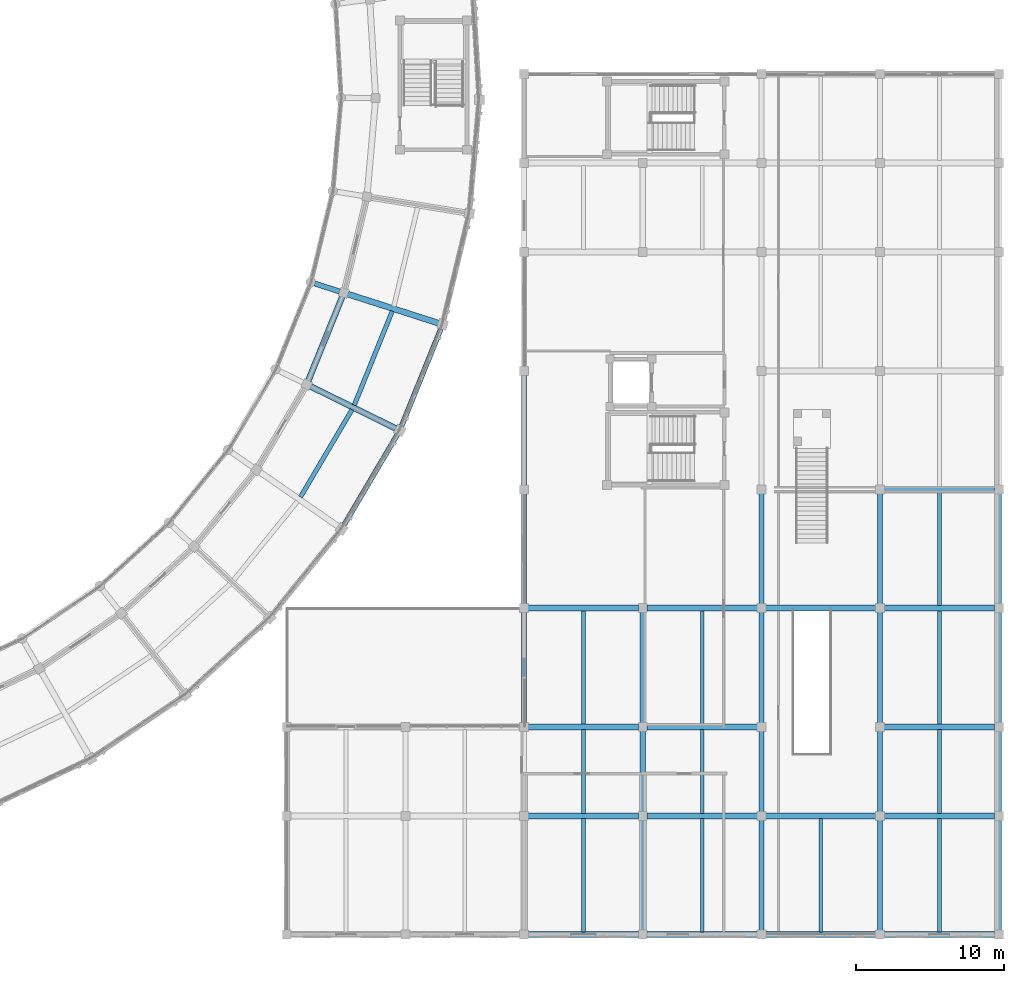
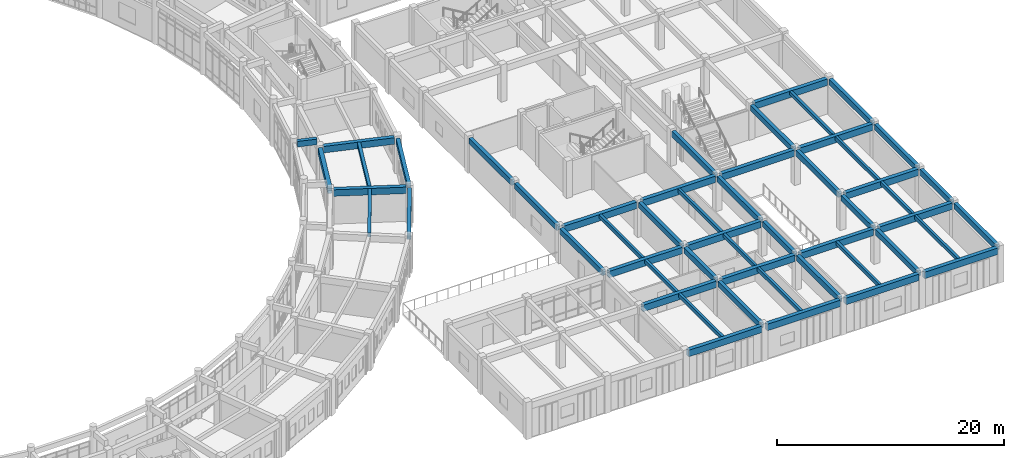
# One storey, part 82 of 159: 53 beams.
"""IFC4 building model written with IfcOpenShell, lengths in metres."""

from ifc_helpers import new_model, si_unit, direction, frame, origin, origin_2d, place, context, subcontext, project, spatial, rectangle, extrude, material, material_profile, profile_set, type_object, element, save


model = new_model("IFC4")

# Units and contexts
model_context = context("Model", 3, precision=1e-05, world=origin(), true_north=direction((0.0, 1.0)))
body_context = subcontext(model_context, "Body", "Model", "MODEL_VIEW")
ifc_project = project(units=[si_unit("LENGTHUNIT", "METRE"), si_unit("AREAUNIT", "SQUARE_METRE"), si_unit("VOLUMEUNIT", "CUBIC_METRE"), si_unit("PLANEANGLEUNIT", "RADIAN"), si_unit("MASSUNIT", "GRAM", prefix="KILO")], contexts=[model_context])

# Site, building, storey
site_placement = place(None, origin())
site = spatial("IfcSite", under=ifc_project, at=site_placement, CompositionType="ELEMENT")
building_placement = place(site_placement, origin())
building = spatial("IfcBuilding", under=site, at=building_placement, Name="Celadon Cloister-Ring School", CompositionType="ELEMENT")
storey_placement = place(building_placement, frame((0.0, 0.0, 4.5)))
storey = spatial("IfcBuildingStorey", under=building, at=storey_placement, Name="L01", CompositionType="ELEMENT", Elevation=4.5)

# Beams
ifc_material_1 = material(Name="Concrete C35/45", Category="concrete")
ifc_material_profile_1 = material_profile(ifc_material_1, rectangle(XDim=0.35009765625, YDim=0.60009765625, at=origin_2d()), Name="RC350X600")
ifc_profile_set_1 = profile_set([ifc_material_profile_1], Name="Concrete C35/45")
beam_type_1 = type_object("IfcBeamType", Name="BT-02", PredefinedType="BEAM", material=ifc_profile_set_1)
beam_1_placement = place(storey_placement, frame((129.587890625, 45.340087890625, 4.35009765625), z_axis=(-0.952385798673, 0.304895540286, 0.0), x_axis=(-0.304895540286, -0.952385798673, 0.0)))
element("IfcBeam", 1, at=beam_1_placement, inside=storey, type_object=beam_type_1, Name="Beam 0249", PredefinedType="BEAM", context=body_context, shape_type="SweptSolid", body=[
    extrude(rectangle(XDim=0.35009765625, YDim=0.60009765625, at=origin_2d()), origin(), (0.0, 0.0, 1.0), 1.7744140625),
])
for number, where, z_axis, x_axis, name in (
    (2, (142.0, 16.27490234375, 3.4599609375), (0.0, 1.0, 0.0), (-1.0, 0.0, 0.0), "Beam 1322"),
    (3, (142.0, 24.27490234375, 3.4599609375), (0.0, 1.0, 0.0), (-1.0, 0.0, 0.0), "Beam 1323"),
    (4, (142.0, 32.27490234375, 3.4599609375), (0.0, 1.0, 0.0), (-1.0, 0.0, 0.0), "Beam 1324"),
    (5, (150.0, 2.27490234375, 3.4599609375), (0.0, 1.0, 0.0), (-1.0, 0.0, 0.0), "Beam 1328"),
):
    element("IfcBeam", number, at=place(storey_placement, frame(where, z_axis=z_axis, x_axis=x_axis)), inside=storey, type_object=beam_type_1, Name=name, PredefinedType="BEAM", context=body_context, shape_type="SweptSolid", body=[
        extrude(rectangle(XDim=0.35009765625, YDim=0.60009765625, at=origin_2d()), origin(), (0.0, 0.0, 1.0), 7.4501953125),
    ])
beam_2_placement = place(storey_placement, frame((150.0, 10.27490234375, 3.4599609375), z_axis=(0.0, 1.0, 0.0), x_axis=(-1.0, 0.0, 0.0)))
element("IfcBeam", 6, at=beam_2_placement, inside=storey, type_object=beam_type_1, Name="Beam 1329", PredefinedType="BEAM", context=body_context, shape_type="SweptSolid", body=[
    extrude(rectangle(XDim=0.35009765625, YDim=0.60009765625, at=origin_2d()), origin(), (0.0, 0.0, 1.0), 5.4501953125),
])
for number, where, z_axis, x_axis, name in (
    (7, (150.0, 16.27490234375, 3.4599609375), (0.0, 1.0, 0.0), (-1.0, 0.0, 0.0), "Beam 1330"),
    (8, (158.0, 2.27490234375, 3.4599609375), (0.0, 1.0, 0.0), (-1.0, 0.0, 0.0), "Beam 1332"),
):
    element("IfcBeam", number, at=place(storey_placement, frame(where, z_axis=z_axis, x_axis=x_axis)), inside=storey, type_object=beam_type_1, Name=name, PredefinedType="BEAM", context=body_context, shape_type="SweptSolid", body=[
        extrude(rectangle(XDim=0.35009765625, YDim=0.60009765625, at=origin_2d()), origin(), (0.0, 0.0, 1.0), 7.4501953125),
    ])
beam_3_placement = place(storey_placement, frame((158.0, 10.27490234375, 3.4599609375), z_axis=(0.0, 1.0, 0.0), x_axis=(-1.0, 0.0, 0.0)))
element("IfcBeam", 9, at=beam_3_placement, inside=storey, type_object=beam_type_1, Name="Beam 1333", PredefinedType="BEAM", context=body_context, shape_type="SweptSolid", body=[
    extrude(rectangle(XDim=0.35009765625, YDim=0.60009765625, at=origin_2d()), origin(), (0.0, 0.0, 1.0), 5.4501953125),
])
for number, where, z_axis, x_axis, name in (
    (10, (158.0, 16.27490234375, 3.4599609375), (0.0, 1.0, 0.0), (-1.0, 0.0, 0.0), "Beam 1334"),
    (11, (158.0, 24.27490234375, 3.4599609375), (0.0, 1.0, 0.0), (-1.0, 0.0, 0.0), "Beam 1335"),
    (12, (166.0, 2.27490234375, 3.4599609375), (0.0, 1.0, 0.0), (-1.0, 0.0, 0.0), "Beam 1340"),
):
    element("IfcBeam", number, at=place(storey_placement, frame(where, z_axis=z_axis, x_axis=x_axis)), inside=storey, type_object=beam_type_1, Name=name, PredefinedType="BEAM", context=body_context, shape_type="SweptSolid", body=[
        extrude(rectangle(XDim=0.35009765625, YDim=0.60009765625, at=origin_2d()), origin(), (0.0, 0.0, 1.0), 7.4501953125),
    ])
beam_4_placement = place(storey_placement, frame((166.0, 10.27490234375, 3.4599609375), z_axis=(0.0, 1.0, 0.0), x_axis=(-1.0, 0.0, 0.0)))
element("IfcBeam", 13, at=beam_4_placement, inside=storey, type_object=beam_type_1, Name="Beam 1341", PredefinedType="BEAM", context=body_context, shape_type="SweptSolid", body=[
    extrude(rectangle(XDim=0.35009765625, YDim=0.60009765625, at=origin_2d()), origin(), (0.0, 0.0, 1.0), 5.4501953125),
])
for number, where, z_axis, x_axis, name in (
    (14, (166.0, 16.27490234375, 3.4599609375), (0.0, 1.0, 0.0), (-1.0, 0.0, 0.0), "Beam 1342"),
    (15, (166.0, 24.27490234375, 3.4599609375), (0.0, 1.0, 0.0), (-1.0, 0.0, 0.0), "Beam 1343"),
    (16, (174.0, 2.27490234375, 3.4599609375), (0.0, 1.0, 0.0), (-1.0, 0.0, 0.0), "Beam 1348"),
):
    element("IfcBeam", number, at=place(storey_placement, frame(where, z_axis=z_axis, x_axis=x_axis)), inside=storey, type_object=beam_type_1, Name=name, PredefinedType="BEAM", context=body_context, shape_type="SweptSolid", body=[
        extrude(rectangle(XDim=0.35009765625, YDim=0.60009765625, at=origin_2d()), origin(), (0.0, 0.0, 1.0), 7.4501953125),
    ])
beam_5_placement = place(storey_placement, frame((174.0, 10.27490234375, 3.4599609375), z_axis=(0.0, 1.0, 0.0), x_axis=(-1.0, 0.0, 0.0)))
element("IfcBeam", 17, at=beam_5_placement, inside=storey, type_object=beam_type_1, Name="Beam 1349", PredefinedType="BEAM", context=body_context, shape_type="SweptSolid", body=[
    extrude(rectangle(XDim=0.35009765625, YDim=0.60009765625, at=origin_2d()), origin(), (0.0, 0.0, 1.0), 5.4501953125),
])
for number, where, z_axis, x_axis, name in (
    (18, (174.0, 16.27490234375, 3.4599609375), (0.0, 1.0, 0.0), (-1.0, 0.0, 0.0), "Beam 1350"),
    (19, (174.0, 24.27490234375, 3.4599609375), (0.0, 1.0, 0.0), (-1.0, 0.0, 0.0), "Beam 1351"),
):
    element("IfcBeam", number, at=place(storey_placement, frame(where, z_axis=z_axis, x_axis=x_axis)), inside=storey, type_object=beam_type_1, Name=name, PredefinedType="BEAM", context=body_context, shape_type="SweptSolid", body=[
        extrude(rectangle(XDim=0.35009765625, YDim=0.60009765625, at=origin_2d()), origin(), (0.0, 0.0, 1.0), 7.4501953125),
    ])
ifc_material_2 = material(Name="Concrete C35/45", Category="concrete")
ifc_material_profile_2 = material_profile(ifc_material_2, rectangle(XDim=0.39990234375, YDim=0.699951171875, at=origin_2d()), Name="RC400X700")
ifc_profile_set_2 = profile_set([ifc_material_profile_2], Name="Concrete C35/45")
beam_type_2 = type_object("IfcBeamType", Name="GT-03", PredefinedType="USERDEFINED", material=ifc_profile_set_2)
for number, where, z_axis, x_axis, name in (
    (20, (133.35595703125, 36.110107421875, 3.429931640625), (-0.896658258814, 0.442723352559, 0.0), (-0.442723352559, -0.896658258814, 0.0), "Beam 0246"),
    (21, (136.22900390625, 43.2099609375, 3.429931640625), (-0.952209894137, 0.305444458957, 0.0), (-0.305444458957, -0.952209894137, 0.0), "Beam 0248"),
):
    element("IfcBeam", number, at=place(storey_placement, frame(where, z_axis=z_axis, x_axis=x_axis)), inside=storey, type_object=beam_type_2, Name=name, ObjectType="GIRDER", PredefinedType="USERDEFINED", context=body_context, shape_type="SweptSolid", body=[
        extrude(rectangle(XDim=0.39990234375, YDim=0.699951171875, at=origin_2d()), origin(), (0.0, 0.0, 1.0), 6.423828125),
    ])
beam_6_placement = place(storey_placement, frame((127.451904296875, 39.3310546875, 3.429931640625), z_axis=(0.375220519631, 0.926935575781, 0.0), x_axis=(-0.926935575781, 0.375220519631, 0.0)))
element("IfcBeam", 22, at=beam_6_placement, inside=storey, type_object=beam_type_2, Name="Beam 0360", ObjectType="GIRDER", PredefinedType="USERDEFINED", context=body_context, shape_type="SweptSolid", body=[
    extrude(rectangle(XDim=0.39990234375, YDim=0.699951171875, at=origin_2d()), origin(), (0.0, 0.0, 1.0), 6.116943359375),
])
for number, where, z_axis, x_axis, name in (
    (23, (142.27490234375, 2.0, 3.409912109375), (1.0, 0.0, 0.0), (0.0, 1.0, 0.0), "Beam 1284"),
    (24, (150.27490234375, 2.0, 3.409912109375), (1.0, 0.0, 0.0), (0.0, 1.0, 0.0), "Beam 1285"),
    (25, (158.27490234375, 2.0, 3.409912109375), (1.0, 0.0, 0.0), (0.0, 1.0, 0.0), "Beam 1286"),
    (26, (166.27490234375, 2.0, 3.409912109375), (1.0, 0.0, 0.0), (0.0, 1.0, 0.0), "Beam 1287"),
    (27, (142.27490234375, 10.0, 3.409912109375), (1.0, 0.0, 0.0), (0.0, 1.0, 0.0), "Beam 1290"),
    (28, (150.27490234375, 10.0, 3.409912109375), (1.0, 0.0, 0.0), (0.0, 1.0, 0.0), "Beam 1291"),
    (29, (158.27490234375, 10.0, 3.409912109375), (1.0, 0.0, 0.0), (0.0, 1.0, 0.0), "Beam 1292"),
    (30, (166.27490234375, 10.0, 3.409912109375), (1.0, 0.0, 0.0), (0.0, 1.0, 0.0), "Beam 1293"),
    (31, (142.27490234375, 16.0, 3.409912109375), (1.0, 0.0, 0.0), (0.0, 1.0, 0.0), "Beam 1296"),
    (32, (150.27490234375, 16.0, 3.409912109375), (1.0, 0.0, 0.0), (0.0, 1.0, 0.0), "Beam 1297"),
    (33, (166.27490234375, 16.0, 3.409912109375), (1.0, 0.0, 0.0), (0.0, 1.0, 0.0), "Beam 1298"),
    (34, (142.27490234375, 24.0, 3.409912109375), (1.0, 0.0, 0.0), (0.0, 1.0, 0.0), "Beam 1299"),
    (35, (150.27490234375, 24.0, 3.409912109375), (1.0, 0.0, 0.0), (0.0, 1.0, 0.0), "Beam 1300"),
    (36, (158.27490234375, 24.0, 3.409912109375), (1.0, 0.0, 0.0), (0.0, 1.0, 0.0), "Beam 1301"),
    (37, (166.27490234375, 24.0, 3.409912109375), (1.0, 0.0, 0.0), (0.0, 1.0, 0.0), "Beam 1302"),
    (38, (166.27490234375, 32.0, 3.409912109375), (1.0, 0.0, 0.0), (0.0, 1.0, 0.0), "Beam 1303"),
):
    element("IfcBeam", number, at=place(storey_placement, frame(where, z_axis=z_axis, x_axis=x_axis)), inside=storey, type_object=beam_type_2, Name=name, ObjectType="GIRDER", PredefinedType="USERDEFINED", context=body_context, shape_type="SweptSolid", body=[
        extrude(rectangle(XDim=0.39990234375, YDim=0.699951171875, at=origin_2d()), origin(), (0.0, 0.0, 1.0), 7.4501953125),
    ])
ifc_material_3 = material(Name="Concrete C35/45", Category="concrete")
ifc_material_profile_3 = material_profile(ifc_material_3, rectangle(XDim=0.300048828125, YDim=0.449951171875, at=origin_2d()), Name="RC300X450")
ifc_profile_set_3 = profile_set([ifc_material_profile_3], Name="Concrete C35/45")
beam_type_3 = type_object("IfcBeamType", Name="JT-01", PredefinedType="JOIST", material=ifc_profile_set_3)
beam_7_placement = place(storey_placement, frame((126.926025390625, 31.488037109375, 3.554931640625), z_axis=(0.507998611561, 0.861357887671, 0.0), x_axis=(-0.861357887671, 0.507998611561, 0.0)))
element("IfcBeam", 39, at=beam_7_placement, inside=storey, type_object=beam_type_3, Name="Beam 0358", PredefinedType="JOIST", context=body_context, shape_type="SweptSolid", body=[
    extrude(rectangle(XDim=0.300048828125, YDim=0.449951171875, at=origin_2d()), origin(), (0.0, 0.0, 1.0), 6.83447265625),
])
beam_8_placement = place(storey_placement, frame((130.552978515625, 37.68798828125, 3.554931640625), z_axis=(0.374947237953, 0.927046152439, 0.0), x_axis=(-0.927046152439, 0.374947237953, 0.0)))
element("IfcBeam", 40, at=beam_8_placement, inside=storey, type_object=beam_type_3, Name="Beam 0362", PredefinedType="JOIST", context=body_context, shape_type="SweptSolid", body=[
    extrude(rectangle(XDim=0.300048828125, YDim=0.449951171875, at=origin_2d()), origin(), (0.0, 0.0, 1.0), 6.835693359375),
])
ifc_material_4 = material(Name="Concrete C35/45", Category="concrete")
ifc_material_profile_4 = material_profile(ifc_material_4, rectangle(XDim=0.25, YDim=0.39990234375, at=origin_2d()), Name="RC250X400")
ifc_profile_set_4 = profile_set([ifc_material_profile_4], Name="Concrete C35/45")
beam_type_4 = type_object("IfcBeamType", Name="JT-02", PredefinedType="JOIST", material=ifc_profile_set_4)
beam_9_placement = place(storey_placement, frame((146.0, 2.175048828125, 3.56005859375), z_axis=(0.0, 1.0, 0.0), x_axis=(-1.0, 0.0, 0.0)))
element("IfcBeam", 41, at=beam_9_placement, inside=storey, type_object=beam_type_4, Name="Beam 1360", PredefinedType="JOIST", context=body_context, shape_type="SweptSolid", body=[
    extrude(rectangle(XDim=0.25, YDim=0.39990234375, at=origin_2d()), origin(), (0.0, 0.0, 1.0), 7.64990234375),
])
beam_10_placement = place(storey_placement, frame((146.0, 10.175048828125, 3.56005859375), z_axis=(0.0, 1.0, 0.0), x_axis=(-1.0, 0.0, 0.0)))
element("IfcBeam", 42, at=beam_10_placement, inside=storey, type_object=beam_type_4, Name="Beam 1361", PredefinedType="JOIST", context=body_context, shape_type="SweptSolid", body=[
    extrude(rectangle(XDim=0.25, YDim=0.39990234375, at=origin_2d()), origin(), (0.0, 0.0, 1.0), 5.64990234375),
])
for number, where, z_axis, x_axis, name in (
    (43, (146.0, 16.175048828125, 3.56005859375), (0.0, 1.0, 0.0), (-1.0, 0.0, 0.0), "Beam 1362"),
    (44, (154.0, 2.175048828125, 3.56005859375), (0.0, 1.0, 0.0), (-1.0, 0.0, 0.0), "Beam 1364"),
):
    element("IfcBeam", number, at=place(storey_placement, frame(where, z_axis=z_axis, x_axis=x_axis)), inside=storey, type_object=beam_type_4, Name=name, PredefinedType="JOIST", context=body_context, shape_type="SweptSolid", body=[
        extrude(rectangle(XDim=0.25, YDim=0.39990234375, at=origin_2d()), origin(), (0.0, 0.0, 1.0), 7.64990234375),
    ])
beam_11_placement = place(storey_placement, frame((154.0, 10.175048828125, 3.56005859375), z_axis=(0.0, 1.0, 0.0), x_axis=(-1.0, 0.0, 0.0)))
element("IfcBeam", 45, at=beam_11_placement, inside=storey, type_object=beam_type_4, Name="Beam 1365", PredefinedType="JOIST", context=body_context, shape_type="SweptSolid", body=[
    extrude(rectangle(XDim=0.25, YDim=0.39990234375, at=origin_2d()), origin(), (0.0, 0.0, 1.0), 5.64990234375),
])
for number, where, z_axis, x_axis, name in (
    (46, (154.0, 16.175048828125, 3.56005859375), (0.0, 1.0, 0.0), (-1.0, 0.0, 0.0), "Beam 1366"),
    (47, (162.0, 2.175048828125, 3.56005859375), (0.0, 1.0, 0.0), (-1.0, 0.0, 0.0), "Beam 1368"),
    (48, (170.0, 2.175048828125, 3.56005859375), (0.0, 1.0, 0.0), (-1.0, 0.0, 0.0), "Beam 1372"),
):
    element("IfcBeam", number, at=place(storey_placement, frame(where, z_axis=z_axis, x_axis=x_axis)), inside=storey, type_object=beam_type_4, Name=name, PredefinedType="JOIST", context=body_context, shape_type="SweptSolid", body=[
        extrude(rectangle(XDim=0.25, YDim=0.39990234375, at=origin_2d()), origin(), (0.0, 0.0, 1.0), 7.64990234375),
    ])
beam_12_placement = place(storey_placement, frame((170.0, 10.175048828125, 3.56005859375), z_axis=(0.0, 1.0, 0.0), x_axis=(-1.0, 0.0, 0.0)))
element("IfcBeam", 49, at=beam_12_placement, inside=storey, type_object=beam_type_4, Name="Beam 1373", PredefinedType="JOIST", context=body_context, shape_type="SweptSolid", body=[
    extrude(rectangle(XDim=0.25, YDim=0.39990234375, at=origin_2d()), origin(), (0.0, 0.0, 1.0), 5.64990234375),
])
for number, where, z_axis, x_axis, name in (
    (50, (170.0, 16.175048828125, 3.56005859375), (0.0, 1.0, 0.0), (-1.0, 0.0, 0.0), "Beam 1374"),
    (51, (170.0, 24.175048828125, 3.56005859375), (0.0, 1.0, 0.0), (-1.0, 0.0, 0.0), "Beam 1375"),
):
    element("IfcBeam", number, at=place(storey_placement, frame(where, z_axis=z_axis, x_axis=x_axis)), inside=storey, type_object=beam_type_4, Name=name, PredefinedType="JOIST", context=body_context, shape_type="SweptSolid", body=[
        extrude(rectangle(XDim=0.25, YDim=0.39990234375, at=origin_2d()), origin(), (0.0, 0.0, 1.0), 7.64990234375),
    ])
ifc_material_5 = material(Name="Concrete C35/45", Category="concrete")
ifc_material_profile_5 = material_profile(ifc_material_5, rectangle(XDim=0.35009765625, YDim=0.60009765625, at=origin_2d()), Name="RC350X600")
ifc_profile_set_5 = profile_set([ifc_material_profile_5], Name="Concrete C35/45")
beam_type_5 = type_object("IfcBeamType", Name="SP-01", PredefinedType="SPANDREL", material=ifc_profile_set_5)
beam_13_placement = place(storey_placement, frame((129.864013671875, 29.59912109375, 3.47998046875), z_axis=(0.507956908895, 0.861382481077, 0.0), x_axis=(-0.861382481077, 0.507956908895, 0.0)))
element("IfcBeam", 52, at=beam_13_placement, inside=storey, type_object=beam_type_5, Name="Beam 0355", PredefinedType="SPANDREL", context=body_context, shape_type="SweptSolid", body=[
    extrude(rectangle(XDim=0.35009765625, YDim=0.60009765625, at=origin_2d()), origin(), (0.0, 0.0, 1.0), 7.104736328125),
])
beam_14_placement = place(storey_placement, frame((133.738037109375, 36.2548828125, 3.47998046875), z_axis=(0.375026116818, 0.927014245686, 0.0), x_axis=(-0.927014245686, 0.375026116818, 0.0)))
element("IfcBeam", 53, at=beam_14_placement, inside=storey, type_object=beam_type_5, Name="Beam 0359", PredefinedType="SPANDREL", context=body_context, shape_type="SweptSolid", body=[
    extrude(rectangle(XDim=0.35009765625, YDim=0.60009765625, at=origin_2d()), origin(), (0.0, 0.0, 1.0), 7.103759765625),
])

save(model, "model.ifc")
